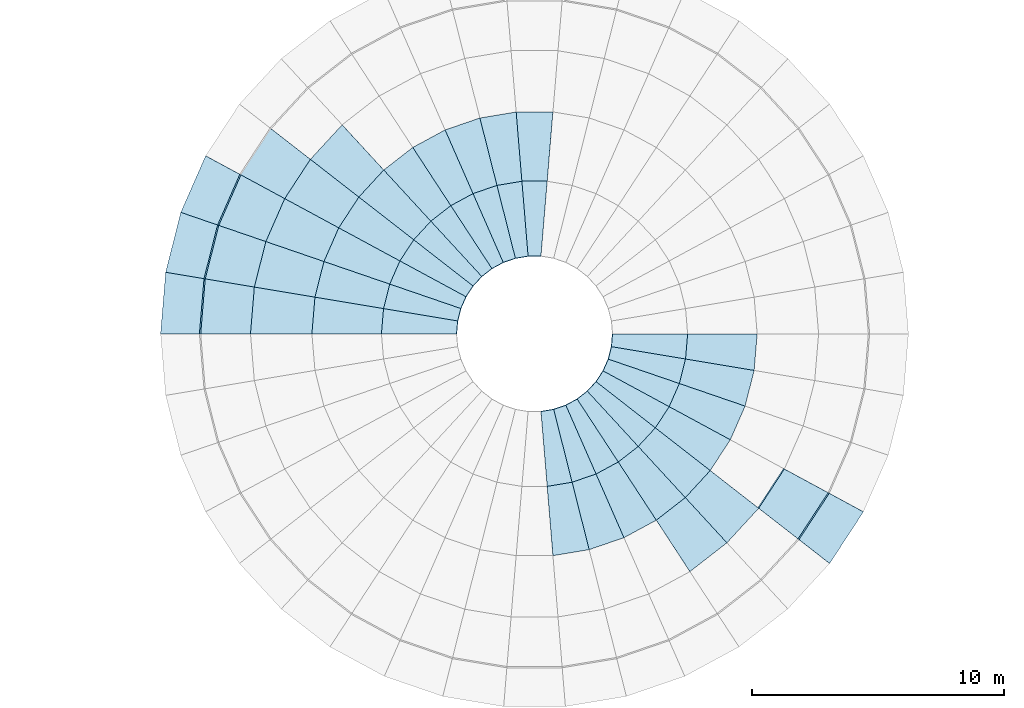
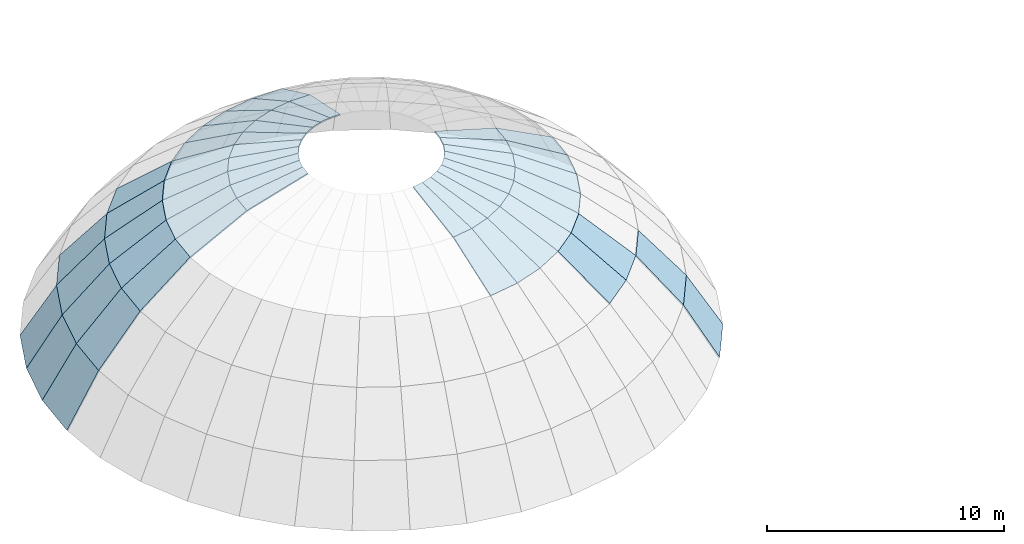
# One storey, part 23 of 36: 54 slabs, 1 element without a shape of its own.
"""IFC4 building model written with IfcOpenShell, lengths in metres."""

from ifc_helpers import new_model, si_unit, direction, frame, origin, place, context, subcontext, project, spatial, polyline, outline, extrude, material, layer, layer_set, type_object, element, aggregate, save


model = new_model("IFC4")

# Units and contexts
model_context = context("Model", 3, precision=1e-05, world=origin(), true_north=direction((0.0, 1.0)))
body_context = subcontext(model_context, "Body", "Model", "MODEL_VIEW")
ifc_project = project(units=[si_unit("LENGTHUNIT", "METRE"), si_unit("AREAUNIT", "SQUARE_METRE"), si_unit("VOLUMEUNIT", "CUBIC_METRE"), si_unit("PLANEANGLEUNIT", "RADIAN"), si_unit("MASSUNIT", "GRAM", prefix="KILO")], contexts=[model_context])

# Site, building, storey
site_placement = place(None, origin())
site = spatial("IfcSite", under=ifc_project, at=site_placement, CompositionType="ELEMENT")
building_placement = place(site_placement, origin())
building = spatial("IfcBuilding", under=site, at=building_placement, Name="Sun Court Science Centre", CompositionType="ELEMENT")
storey_placement = place(building_placement, frame((0.0, 0.0, 24.75)))
storey = spatial("IfcBuildingStorey", under=building, at=storey_placement, Name="L05", CompositionType="ELEMENT", Elevation=24.75)

# Roof, slabs
ifc_material_1 = material(Name="Zinc roofing", Category="metal")
roof_type = type_object("IfcRoofType", Name="Dome roof", PredefinedType="DOME_ROOF", material=ifc_material_1)
roof_placement = place(storey_placement, origin())
roof = element("IfcRoof", 1, at=roof_placement, inside=storey, type_object=roof_type, Name="Planetarium dome roof", PredefinedType="DOME_ROOF")
ifc_material_2 = material(Name="Zinc roofing", Category="metal")
ifc_layer = layer(ifc_material_2, 0.06005859375)
ifc_layer_set = layer_set([ifc_layer], Name="Zinc roofing")
slab_type = type_object("IfcSlabType", Name="Dome roof panel 60", PredefinedType="ROOF", material=ifc_layer_set)
slab_1_placement = place(storey_placement, frame((51.255615234375, 99.88623046875, 4.572509765625), z_axis=(0.0, 0.283879252268, 0.958860036779), x_axis=(-1.0, 0.0, 0.0)))
slab_1 = element("IfcSlab", 2, at=slab_1_placement, type_object=slab_type, Name="Dome roof panel 1.9", PredefinedType="ROOF", context=body_context, shape_type="SweptSolid", body=[
    extrude(outline(polyline([(0.0, 0.0), (0.51123046875, 0.0), (0.7578125, -3.1012167557730033), (-0.24658203125, -3.1012167557730033), (0.0, 0.0)])), origin(), (0.0, 0.0, -1.0), 0.06005859375),
])
slab_2_placement = place(storey_placement, frame((50.744384765625, 99.88623046875, 4.572509765625), z_axis=(-0.04672822343, 0.280003561924, 0.958861031873), x_axis=(-0.986355517295, -0.164629260643, 6.401744e-06)))
slab_2 = element("IfcSlab", 3, at=slab_2_placement, type_object=slab_type, Name="Dome roof panel 1.10", PredefinedType="ROOF", context=body_context, shape_type="SweptSolid", body=[
    extrude(outline(polyline([(0.0, 0.0), (0.5116196164969511, 0.0), (0.7578393399084358, -3.101270565866369), (-0.2463350602680572, -3.101236382879202), (0.0, 0.0)])), origin(), (0.0, 0.0, -1.0), 0.06005859375),
])
slab_3_placement = place(storey_placement, frame((50.23974609375, 99.802001953125, 4.572509765625), z_axis=(-0.092181155952, 0.268495906624, 0.958860043288), x_axis=(-0.945827220378, -0.324670400489, -1.5406808e-05)))
slab_3 = element("IfcSlab", 4, at=slab_3_placement, type_object=slab_type, Name="Dome roof panel 1.11", PredefinedType="ROOF", context=body_context, shape_type="SweptSolid", body=[
    extrude(outline(polyline([(0.0, 0.0), (0.5113426747808478, 0.0), (0.758011641267962, -3.1011758613956992), (-0.24637638840637754, -3.1012581237436407), (0.0, 0.0)])), origin(), (0.0, 0.0, -1.0), 0.06005859375),
])
slab_4_placement = place(storey_placement, frame((49.756103515625, 99.635986328125, 4.572509765625), z_axis=(-0.135061687279, 0.24968580712, 0.958861480274), x_axis=(-0.879551158532, -0.47580432896, 8.264372e-06)))
slab_4 = element("IfcSlab", 5, at=slab_4_placement, type_object=slab_type, Name="Dome roof panel 1.12", PredefinedType="ROOF", context=body_context, shape_type="SweptSolid", body=[
    extrude(outline(polyline([(0.0, 0.0), (0.5115697512566454, 2.7755575615628914e-17), (0.7584788820048525, -3.101292104100171), (-0.24576065982687514, -3.101247974680628), (0.0, 0.0)])), origin(), (0.0, 0.0, -1.0), 0.06005859375),
])
slab_5_placement = place(storey_placement, frame((49.30615234375, 99.392578125, 4.572509765625), z_axis=(-0.174383508411, 0.223991821632, 0.958862897309), x_axis=(-0.789045475052, -0.614334793254, 9.856673e-06)))
slab_5 = element("IfcSlab", 6, at=slab_5_placement, type_object=slab_type, Name="Dome roof panel 1.13", PredefinedType="ROOF", context=body_context, shape_type="SweptSolid", body=[
    extrude(outline(polyline([(0.0, 0.0), (0.5114602170847771, -2.7755575615628914e-17), (0.7574525116096614, -3.101348615897013), (-0.24686038745587094, -3.101295984406815), (0.0, 0.0)])), origin(), (0.0, 0.0, -1.0), 0.06005859375),
])
slab_6_placement = place(storey_placement, frame((48.902587890625, 99.078369140625, 4.572509765625), z_axis=(-0.208832287046, 0.192279344653, 0.958862727144), x_axis=(-0.67738434948, -0.735629283596, -1.3981515e-05)))
slab_6 = element("IfcSlab", 7, at=slab_6_placement, type_object=slab_type, Name="Dome roof panel 1.14", PredefinedType="ROOF", context=body_context, shape_type="SweptSolid", body=[
    extrude(outline(polyline([(0.0, 0.0), (0.5114289838705253, -5.551115123125783e-17), (0.7582682016752315, -3.101278690338045), (-0.24593272845489605, -3.1013533399692945), (0.0, 0.0)])), origin(), (0.0, 0.0, -1.0), 0.06005859375),
])
slab_7_placement = place(storey_placement, frame((48.55615234375, 98.7021484375, 4.572509765625), z_axis=(-0.23764830106, 0.155262337515, 0.958862290192), x_axis=(-0.546964743862, -0.837155641996, -6.779158e-06)))
slab_7 = element("IfcSlab", 8, at=slab_7_placement, type_object=slab_type, Name="Dome roof panel 1.15", PredefinedType="ROOF", context=body_context, shape_type="SweptSolid", body=[
    extrude(outline(polyline([(0.0, 0.0), (0.5115216290349449, 0.0), (0.7580094483507162, -3.1012818077628306), (-0.24634472760736717, -3.101318008494757), (0.0, 0.0)])), origin(), (0.0, 0.0, -1.0), 0.06005859375),
])
slab_8_placement = place(storey_placement, frame((48.2763671875, 98.27392578125, 4.572509765625), z_axis=(-0.25997813006, 0.113986190334, 0.958863139506), x_axis=(-0.401406770776, -0.915899886652, 4.4800082e-05)))
slab_8 = element("IfcSlab", 9, at=slab_8_placement, type_object=slab_type, Name="Dome roof panel 1.16", PredefinedType="ROOF", context=body_context, shape_type="SweptSolid", body=[
    extrude(outline(polyline([(0.0, 0.0), (0.5115222111100454, 0.0), (0.7568576776512703, -3.101450736932414), (-0.2473705592476455, -3.1012115216623224), (0.0, 0.0)])), origin(), (0.0, 0.0, -1.0), 0.06005859375),
])
slab_9_placement = place(storey_placement, frame((48.071044921875, 97.805419921875, 4.572509765625), z_axis=(-0.275177299735, 0.06973170191, 0.958861274356), x_axis=(-0.245883494279, -0.969299387089, -7.3691664e-05)))
slab_9 = element("IfcSlab", 10, at=slab_9_placement, type_object=slab_type, Name="Dome roof panel 1.17", PredefinedType="ROOF", context=body_context, shape_type="SweptSolid", body=[
    extrude(outline(polyline([(0.0, 0.0), (0.5113056043320097, -1.3877787807814457e-17), (0.7591401229443104, -3.1010654606110055), (-0.2452320169316297, -3.1014589182609362), (0.0, 0.0)])), origin(), (0.0, 0.0, -1.0), 0.06005859375),
])
slab_10_placement = place(storey_placement, frame((47.9453125, 97.309814453125, 4.572509765625), z_axis=(-0.282921231947, 0.023412909448, 0.958857347151), x_axis=(-0.082563473837, -0.996585807672, -2.7101486e-05)))
slab_10 = element("IfcSlab", 11, at=slab_10_placement, type_object=slab_type, Name="Dome roof panel 1.18", PredefinedType="ROOF", context=body_context, shape_type="SweptSolid", body=[
    extrude(outline(polyline([(0.0, 0.0), (0.5115123650862234, -6.938893903907228e-18), (0.7578761203889665, -3.1010451780931985), (-0.24627286478650504, -3.101189871164825), (0.0, 0.0)])), origin(), (0.0, 0.0, -1.0), 0.06005859375),
])
slab_11_placement = place(storey_placement, frame((51.255615234375, 93.7138671875, 4.572509765625), z_axis=(0.04668200088, -0.280000561593, 0.958864159462), x_axis=(0.98642877333, 0.164189734724, -7.8479243e-05)))
slab_11 = element("IfcSlab", 12, at=slab_11_placement, type_object=slab_type, Name="Dome roof panel 1.29", PredefinedType="ROOF", context=body_context, shape_type="SweptSolid", body=[
    extrude(outline(polyline([(0.0, 0.0), (0.511579478324477, 1.3877787807814457e-17), (0.759198945886884, -3.1011591175637134), (-0.2449753665656996, -3.1015781726722316), (0.0, 0.0)])), origin(), (0.0, 0.0, -1.0), 0.06005859375),
])
slab_12_placement = place(storey_placement, frame((51.76025390625, 93.7978515625, 4.572509765625), z_axis=(0.092218765445, -0.268472280957, 0.958863042179), x_axis=(0.945688365585, 0.32507462349, 6.6028283e-05)))
slab_12 = element("IfcSlab", 13, at=slab_12_placement, type_object=slab_type, Name="Dome roof panel 1.30", PredefinedType="ROOF", context=body_context, shape_type="SweptSolid", body=[
    extrude(outline(polyline([(0.0, 0.0), (0.511421989946499, 2.7755575615628914e-17), (0.7566689421696237, -3.101503745533287), (-0.2477190284051893, -3.101151166364412), (0.0, 0.0)])), origin(), (0.0, 0.0, -1.0), 0.06005859375),
])
slab_13_placement = place(storey_placement, frame((52.243896484375, 93.964111328125, 4.572509765625), z_axis=(0.135092568034, -0.249658380384, 0.958864271504), x_axis=(0.879545726999, 0.475814368426, -3.0292483e-05)))
slab_13 = element("IfcSlab", 14, at=slab_13_placement, type_object=slab_type, Name="Dome roof panel 1.31", PredefinedType="ROOF", context=body_context, shape_type="SweptSolid", body=[
    extrude(outline(polyline([(0.0, 0.0), (0.5115697510203587, 2.7755575615628914e-17), (0.758478882355183, -3.101292104014491), (-0.24587682410466305, -3.1014538751171177), (0.0, 0.0)])), origin(), (0.0, 0.0, -1.0), 0.06005859375),
])
slab_14_placement = place(storey_placement, frame((52.69384765625, 94.20751953125, 4.572509765625), z_axis=(0.174360228668, -0.224020655716, 0.958860394673), x_axis=(0.789264516706, 0.614053352156, -5.809711e-05)))
slab_14 = element("IfcSlab", 15, at=slab_14_placement, type_object=slab_type, Name="Dome roof panel 1.32", PredefinedType="ROOF", context=body_context, shape_type="SweptSolid", body=[
    extrude(outline(polyline([(0.0, 0.0), (0.5113102678191315, 0.0), (0.7585728357492786, -3.101074781028894), (-0.24574001633201084, -3.101384961147796), (0.0, 0.0)])), origin(), (0.0, 0.0, -1.0), 0.06005859375),
])
slab_15_placement = place(storey_placement, frame((53.097412109375, 94.521484375, 4.572509765625), z_axis=(0.20885860039, -0.192261474308, 0.958860579302), x_axis=(0.677159219874, 0.735836523269, 4.4310831e-05)))
slab_15 = element("IfcSlab", 16, at=slab_15_placement, type_object=slab_type, Name="Dome roof panel 1.33", PredefinedType="ROOF", context=body_context, shape_type="SweptSolid", body=[
    extrude(outline(polyline([(0.0, 0.0), (0.5116086064163965, -8.326672684688674e-17), (0.7574865631173398, -3.101355049731733), (-0.24671434166295486, -3.1011184448600857), (0.0, 0.0)])), origin(), (0.0, 0.0, -1.0), 0.06005859375),
])
slab_16_placement = place(storey_placement, frame((53.44384765625, 94.89794921875, 4.572509765625), z_axis=(0.23764830106, -0.155262337515, 0.958862290192), x_axis=(0.546964743862, 0.837155641996, -6.779158e-06)))
slab_16 = element("IfcSlab", 17, at=slab_16_placement, type_object=slab_type, Name="Dome roof panel 1.34", PredefinedType="ROOF", context=body_context, shape_type="SweptSolid", body=[
    extrude(outline(polyline([(0.0, 0.0), (0.5115216290349449, 0.0), (0.7580094483507162, -3.1012818077628306), (-0.24634472760736717, -3.101318008494757), (0.0, 0.0)])), origin(), (0.0, 0.0, -1.0), 0.06005859375),
])
slab_17_placement = place(storey_placement, frame((53.7236328125, 95.326171875, 4.572509765625), z_axis=(0.259974694417, -0.114004734069, 0.958861866419), x_axis=(0.401572936801, 0.915827044984, 1.0238373e-05)))
slab_17 = element("IfcSlab", 18, at=slab_17_placement, type_object=slab_type, Name="Dome roof panel 1.35", PredefinedType="ROOF", context=body_context, shape_type="SweptSolid", body=[
    extrude(outline(polyline([(0.0, 0.0), (0.5112986113596256, 0.0), (0.7574276434269268, -3.101311590732382), (-0.24680062074546674, -3.1012569306354894), (0.0, 0.0)])), origin(), (0.0, 0.0, -1.0), 0.06005859375),
])
slab_18_placement = place(storey_placement, frame((53.928955078125, 95.79443359375, 4.572509765625), z_axis=(0.275177299735, -0.06973170191, 0.958861274356), x_axis=(0.245778902192, 0.969325915002, -4.1746266e-05)))
slab_18 = element("IfcSlab", 19, at=slab_18_placement, type_object=slab_type, Name="Dome roof panel 1.36", PredefinedType="ROOF", context=body_context, shape_type="SweptSolid", body=[
    extrude(outline(polyline([(0.0, 0.0), (0.5115422529292055, -1.3877787807814457e-17), (0.758791145013559, -3.1011508695172285), (-0.2453443809451955, -3.101373762949223), (0.0, 0.0)])), origin(), (0.0, 0.0, -1.0), 0.06005859375),
])
slab_19_placement = place(storey_placement, frame((54.0546875, 96.290283203125, 4.572509765625), z_axis=(0.282920662676, -0.023409078748, 0.958857608648), x_axis=(0.082562407078, 0.996585895944, -3.0716976e-05)))
slab_19 = element("IfcSlab", 20, at=slab_19_placement, type_object=slab_type, Name="Dome roof panel 1.37", PredefinedType="ROOF", context=body_context, shape_type="SweptSolid", body=[
    extrude(outline(polyline([(0.0, 0.0), (0.5115123650280734, -6.938893903907228e-18), (0.7578761204751239, -3.1010451780721424), (-0.2465161718512209, -3.101209200842104), (0.0, 0.0)])), origin(), (0.0, 0.0, -1.0), 0.06005859375),
])
slab_20_placement = place(storey_placement, frame((51.502197265625, 102.85986328125, 3.692138671875), z_axis=(0.0, 0.461352736642, 0.887216801235), x_axis=(-1.0, 0.0, 0.0)))
slab_20 = element("IfcSlab", 21, at=slab_20_placement, type_object=slab_type, Name="Dome roof panel 2.9", PredefinedType="ROOF", context=body_context, shape_type="SweptSolid", body=[
    extrude(outline(polyline([(0.0, 0.0), (1.00439453125, 0.0), (1.232421875, -3.1026075509892683), (-0.22802734375, -3.1026075509892683), (0.0, 0.0)])), origin(), (0.0, 0.0, -1.0), 0.06005859375),
])
slab_21_placement = place(storey_placement, frame((50.497802734375, 102.85986328125, 3.692138671875), z_axis=(-0.075903591624, 0.455055969531, 0.887221905372), x_axis=(-0.98636348613, -0.164581506913, 2.8477601e-05)))
slab_21 = element("IfcSlab", 22, at=slab_21_placement, type_object=slab_type, Name="Dome roof panel 2.10", PredefinedType="ROOF", context=body_context, shape_type="SweptSolid", body=[
    extrude(outline(polyline([(0.0, 0.0), (1.0041744002468371, 0.0), (1.232402142549726, -3.102749642912398), (-0.22816405238624865, -3.1025975003395345), (0.0, 0.0)])), origin(), (0.0, 0.0, -1.0), 0.06005859375),
])
slab_22_placement = place(storey_placement, frame((49.50732421875, 102.694580078125, 3.692138671875), z_axis=(-0.149844607598, 0.436327024503, 0.88722337732), x_axis=(-0.945796870013, -0.324758802936, -2.4253969e-05)))
slab_22 = element("IfcSlab", 23, at=slab_22_placement, type_object=slab_type, Name="Dome roof panel 2.11", PredefinedType="ROOF", context=body_context, shape_type="SweptSolid", body=[
    extrude(outline(polyline([(0.0, 0.0), (1.0043880327014159, -5.551115123125783e-17), (1.232175440205217, -3.1026278268693597), (-0.22812222770762033, -3.1027574024503415), (0.0, 0.0)])), origin(), (0.0, 0.0, -1.0), 0.06005859375),
])
slab_23_placement = place(storey_placement, frame((48.557373046875, 102.368408203125, 3.692138671875), z_axis=(-0.219525661106, 0.405784319447, 0.887213373551), x_axis=(-0.879565185416, -0.475778397881, -2.6730236e-05)))
slab_23 = element("IfcSlab", 24, at=slab_23_placement, type_object=slab_type, Name="Dome roof panel 2.12", PredefinedType="ROOF", context=body_context, shape_type="SweptSolid", body=[
    extrude(outline(polyline([(0.0, 0.0), (1.0042395423552177, 0.0), (1.2329526479217499, -3.102491793093754), (-0.22769508265061505, -3.1026346037289927), (0.0, 0.0)])), origin(), (0.0, 0.0, -1.0), 0.06005859375),
])
slab_24_placement = place(storey_placement, frame((47.674072265625, 101.890625, 3.692138671875), z_axis=(-0.283395806017, 0.364059182507, 0.887213462907), x_axis=(-0.789082408073, -0.614287353777, 1.6125535e-05)))
slab_24 = element("IfcSlab", 25, at=slab_24_placement, type_object=slab_type, Name="Dome roof panel 2.13", PredefinedType="ROOF", context=body_context, shape_type="SweptSolid", body=[
    extrude(outline(polyline([(0.0, 0.0), (1.0043129002924966, 5.551115123125783e-17), (1.2319806087407972, -3.102607440641787), (-0.2283125318547266, -3.1025212971472564), (0.0, 0.0)])), origin(), (0.0, 0.0, -1.0), 0.06005859375),
])
slab_25_placement = place(storey_placement, frame((46.881591796875, 101.273681640625, 3.692138671875), z_axis=(-0.339408860934, 0.312491960558, 0.887214968148), x_axis=(-0.677330987808, -0.735678416805, 1.636312e-06)))
slab_25 = element("IfcSlab", 26, at=slab_25_placement, type_object=slab_type, Name="Dome roof panel 2.14", PredefinedType="ROOF", context=body_context, shape_type="SweptSolid", body=[
    extrude(outline(polyline([(0.0, 0.0), (1.0042009329307369, 0.0), (1.2324656172754214, -3.102588215719342), (-0.22804851235245346, -3.1025794740086017), (0.0, 0.0)])), origin(), (0.0, 0.0, -1.0), 0.06005859375),
])
slab_26_placement = place(storey_placement, frame((46.201416015625, 100.534912109375, 3.692138671875), z_axis=(-0.386227181641, 0.25233631058, 0.887217532809), x_axis=(-0.546938249766, -0.837172951597, 7.568814e-06)))
slab_26 = element("IfcSlab", 27, at=slab_26_placement, type_object=slab_type, Name="Dome roof panel 2.15", PredefinedType="ROOF", context=body_context, shape_type="SweptSolid", body=[
    extrude(outline(polyline([(0.0, 0.0), (1.0043541765804533, -1.1102230246251565e-16), (1.2323363213218208, -3.102637230116387), (-0.22814807683054314, -3.1025967925929474), (0.0, 0.0)])), origin(), (0.0, 0.0, -1.0), 0.06005859375),
])
slab_27_placement = place(storey_placement, frame((45.652099609375, 99.694091796875, 3.692138671875), z_axis=(-0.422502986318, 0.185296302133, 0.887218409958), x_axis=(-0.401625869462, -0.915803833208, 7.816048e-06)))
slab_27 = element("IfcSlab", 28, at=slab_27_placement, type_object=slab_type, Name="Dome roof panel 2.16", PredefinedType="ROOF", context=body_context, shape_type="SweptSolid", body=[
    extrude(outline(polyline([(0.0, 0.0), (1.0042282656358383, 0.0), (1.2322568604242, -3.1026492333865283), (-0.2283867349033955, -3.10260747426104), (0.0, 0.0)])), origin(), (0.0, 0.0, -1.0), 0.06005859375),
])
slab_28_placement = place(storey_placement, frame((45.248779296875, 98.7744140625, 3.692138671875), z_axis=(-0.447242180145, 0.113238594298, 0.887215561778), x_axis=(-0.245495667643, -0.969397687489, -2.5682784e-05)))
slab_28 = element("IfcSlab", 29, at=slab_28_placement, type_object=slab_type, Name="Dome roof panel 2.17", PredefinedType="ROOF", context=body_context, shape_type="SweptSolid", body=[
    extrude(outline(polyline([(0.0, 0.0), (1.0043722172913425, -2.7755575615628914e-17), (1.2325504983654518, -3.10252291256546), (-0.22788036829673347, -3.1026601235799376), (0.0, 0.0)])), origin(), (0.0, 0.0, -1.0), 0.06005859375),
])
slab_29_placement = place(storey_placement, frame((45.002197265625, 97.80078125, 3.692138671875), z_axis=(-0.459779125023, 0.03807117407, 0.887216851676), x_axis=(-0.082442789822, -0.99659579808, 4.0687163e-05)))
slab_29 = element("IfcSlab", 30, at=slab_29_placement, type_object=slab_type, Name="Dome roof panel 2.18", PredefinedType="ROOF", context=body_context, shape_type="SweptSolid", body=[
    extrude(outline(polyline([(0.0, 0.0), (1.004148994648439, 0.0), (1.2318148089091965, -3.1027168504174645), (-0.22849629717663633, -3.1024995071472468), (0.0, 0.0)])), origin(), (0.0, 0.0, -1.0), 0.06005859375),
])
slab_30_placement = place(storey_placement, frame((51.502197265625, 90.739990234375, 3.692138671875), z_axis=(0.075950665863, -0.455064218209, 0.887213646007), x_axis=(0.986360063778, 0.164602018368, -1.1513372e-05)))
slab_30 = element("IfcSlab", 31, at=slab_30_placement, type_object=slab_type, Name="Dome roof panel 2.29", PredefinedType="ROOF", context=body_context, shape_type="SweptSolid", body=[
    extrude(outline(polyline([(0.0, 0.0), (1.0041744006795592, -2.7755575615628914e-17), (1.2324423266165552, -3.1025359910763353), (-0.2281640514224832, -3.102597500550462), (0.0, 0.0)])), origin(), (0.0, 0.0, -1.0), 0.06005859375),
])
slab_31_placement = place(storey_placement, frame((52.49267578125, 90.9052734375, 3.692138671875), z_axis=(0.149808673466, -0.436355464995, 0.887215458343), x_axis=(0.945803345867, 0.32473994326, 1.4093916e-05)))
slab_31 = element("IfcSlab", 32, at=slab_31_placement, type_object=slab_type, Name="Dome roof panel 2.30", PredefinedType="ROOF", context=body_context, shape_type="SweptSolid", body=[
    extrude(outline(polyline([(0.0, 0.0), (1.0043880329499804, 0.0), (1.2321754399002798, -3.1026278269904615), (-0.22804294324900387, -3.102552535878348), (0.0, 0.0)])), origin(), (0.0, 0.0, -1.0), 0.06005859375),
])
slab_32_placement = place(storey_placement, frame((53.442626953125, 91.2314453125, 3.692138671875), z_axis=(0.21959635091, -0.405746066601, 0.88721337462), x_axis=(0.879467451439, 0.475959033687, -1.0524299e-05)))
slab_32 = element("IfcSlab", 33, at=slab_32_placement, type_object=slab_type, Name="Dome roof panel 2.31", PredefinedType="ROOF", context=body_context, shape_type="SweptSolid", body=[
    extrude(outline(polyline([(0.0, 0.0), (1.0043557195474127, 0.0), (1.2324803009495728, -3.1025351226062803), (-0.22828362908306613, -3.1025913556873697), (0.0, 0.0)])), origin(), (0.0, 0.0, -1.0), 0.06005859375),
])
slab_33_placement = place(storey_placement, frame((54.325927734375, 91.70947265625, 3.692138671875), z_axis=(0.283395806017, -0.364059182507, 0.887213462907), x_axis=(0.789082408073, 0.614287353777, 1.6125535e-05)))
slab_33 = element("IfcSlab", 34, at=slab_33_placement, type_object=slab_type, Name="Dome roof panel 2.32", PredefinedType="ROOF", context=body_context, shape_type="SweptSolid", body=[
    extrude(outline(polyline([(0.0, 0.0), (1.0043129002924966, 5.551115123125783e-17), (1.2319806087407972, -3.102607440641787), (-0.2283125318547266, -3.1025212971472564), (0.0, 0.0)])), origin(), (0.0, 0.0, -1.0), 0.06005859375),
])
slab_34_placement = place(storey_placement, frame((55.118408203125, 92.326416015625, 3.692138671875), z_axis=(0.339408860934, -0.312491960558, 0.887214968148), x_axis=(0.677330987808, 0.735678416805, 1.636312e-06)))
slab_34 = element("IfcSlab", 35, at=slab_34_placement, type_object=slab_type, Name="Dome roof panel 2.33", PredefinedType="ROOF", context=body_context, shape_type="SweptSolid", body=[
    extrude(outline(polyline([(0.0, 0.0), (1.0042009329307369, 0.0), (1.2324656172754214, -3.102588215719342), (-0.22804851235245346, -3.1025794740086017), (0.0, 0.0)])), origin(), (0.0, 0.0, -1.0), 0.06005859375),
])
slab_35_placement = place(storey_placement, frame((55.798583984375, 93.065185546875, 3.692138671875), z_axis=(0.386227181641, -0.25233631058, 0.887217532809), x_axis=(0.546938249766, 0.837172951597, 7.568814e-06)))
slab_35 = element("IfcSlab", 36, at=slab_35_placement, type_object=slab_type, Name="Dome roof panel 2.34", PredefinedType="ROOF", context=body_context, shape_type="SweptSolid", body=[
    extrude(outline(polyline([(0.0, 0.0), (1.0043541765804533, -1.1102230246251565e-16), (1.2323363213218208, -3.102637230116387), (-0.22814807683054314, -3.1025967925929474), (0.0, 0.0)])), origin(), (0.0, 0.0, -1.0), 0.06005859375),
])
slab_36_placement = place(storey_placement, frame((56.347900390625, 93.906005859375, 3.692138671875), z_axis=(0.42248968974, -0.185310512915, 0.887221773778), x_axis=(0.40163362407, 0.915800432101, 2.4100601e-05)))
slab_36 = element("IfcSlab", 37, at=slab_36_placement, type_object=slab_type, Name="Dome roof panel 2.35", PredefinedType="ROOF", context=body_context, shape_type="SweptSolid", body=[
    extrude(outline(polyline([(0.0, 0.0), (1.0042282653043022, -5.551115123125783e-17), (1.2320332755121948, -3.102736227502853), (-0.228386735641867, -3.102607474099371), (0.0, 0.0)])), origin(), (0.0, 0.0, -1.0), 0.06005859375),
])
slab_37_placement = place(storey_placement, frame((56.751220703125, 94.82568359375, 3.692138671875), z_axis=(0.447235594509, -0.11324849818, 0.887217617422), x_axis=(0.245546232959, 0.969384880152, -4.016336e-05)))
slab_37 = element("IfcSlab", 38, at=slab_37_placement, type_object=slab_type, Name="Dome roof panel 2.36", PredefinedType="ROOF", context=body_context, shape_type="SweptSolid", body=[
    extrude(outline(polyline([(0.0, 0.0), (1.0041355499152966, 2.7755575615628914e-17), (1.2324781389103705, -3.1025108237970223), (-0.22795271801907094, -3.102725378946719), (0.0, 0.0)])), origin(), (0.0, 0.0, -1.0), 0.06005859375),
])
slab_38_placement = place(storey_placement, frame((56.997802734375, 95.799072265625, 3.692138671875), z_axis=(0.459779747646, -0.038063658297, 0.887216851492), x_axis=(0.082423605809, 0.996597384817, 4.2196715e-05)))
slab_38 = element("IfcSlab", 39, at=slab_38_placement, type_object=slab_type, Name="Dome roof panel 2.37", PredefinedType="ROOF", context=body_context, shape_type="SweptSolid", body=[
    extrude(outline(polyline([(0.0, 0.0), (1.0043923047169407, 0.0), (1.2320029679941364, -3.102720896672568), (-0.22855144351733375, -3.1024954451500992), (0.0, 0.0)])), origin(), (0.0, 0.0, -1.0), 0.06005859375),
])
slab_39_placement = place(storey_placement, frame((45.010986328125, 103.305908203125, 2.2607421875), z_axis=(-0.457505297664, 0.421149680519, 0.783148676311), x_axis=(-0.677309956829, -0.73569777796, -4.3426318e-05)))
slab_39 = element("IfcSlab", 40, at=slab_39_placement, type_object=slab_type, Name="Dome roof panel 3.14", PredefinedType="ROOF", context=body_context, shape_type="SweptSolid", body=[
    extrude(outline(polyline([(0.0, 0.0), (1.460514127409812, 2.220446049250313e-16), (1.6621633261764832, -3.104278922232633), (-0.20128733004160745, -3.104511054014031), (0.0, 0.0)])), origin(), (0.0, 0.0, -1.0), 0.06005859375),
])
slab_40_placement = place(storey_placement, frame((44.021728515625, 102.2314453125, 2.2607421875), z_axis=(-0.520565654086, 0.34014674265, 0.783142128384), x_axis=(-0.546975357949, -0.837148706823, 2.1478552e-05)))
slab_40 = element("IfcSlab", 41, at=slab_40_placement, type_object=slab_type, Name="Dome roof panel 3.15", PredefinedType="ROOF", context=body_context, shape_type="SweptSolid", body=[
    extrude(outline(polyline([(0.0, 0.0), (1.4604843981880262, 0.0), (1.6619420068543673, -3.104411230304481), (-0.2013795769660699, -3.104296425491039), (0.0, 0.0)])), origin(), (0.0, 0.0, -1.0), 0.06005859375),
])
slab_41_placement = place(storey_placement, frame((43.222900390625, 101.0087890625, 2.2607421875), z_axis=(-0.569460365747, 0.249769728147, 0.78315386403), x_axis=(-0.401658804398, -0.915789388863, 9.828259e-06)))
slab_41 = element("IfcSlab", 42, at=slab_41_placement, type_object=slab_type, Name="Dome roof panel 3.16", PredefinedType="ROOF", context=body_context, shape_type="SweptSolid", body=[
    extrude(outline(polyline([(0.0, 0.0), (1.4606435958363044, 5.551115123125783e-17), (1.661879699708573, -3.1044538782176154), (-0.20160997861966667, -3.1044013388606104), (0.0, 0.0)])), origin(), (0.0, 0.0, -1.0), 0.06005859375),
])
slab_42_placement = place(storey_placement, frame((42.63623046875, 99.671142578125, 2.2607421875), z_axis=(-0.602786467623, 0.152637700773, 0.783166780931), x_axis=(-0.245431703613, -0.969413883614, 3.3449616e-05)))
slab_42 = element("IfcSlab", 43, at=slab_42_placement, type_object=slab_type, Name="Dome roof panel 3.17", PredefinedType="ROOF", context=body_context, shape_type="SweptSolid", body=[
    extrude(outline(polyline([(0.0, 0.0), (1.4604308720651793, 5.551115123125783e-17), (1.6616686596276533, -3.104598223841348), (-0.20176696962712332, -3.1044194204222473), (0.0, 0.0)])), origin(), (0.0, 0.0, -1.0), 0.06005859375),
])
slab_43_placement = place(storey_placement, frame((42.27783203125, 98.25537109375, 2.2607421875), z_axis=(-0.619680215568, 0.051339320579, 0.783173483077), x_axis=(-0.082579734216, -0.996584460727, -1.1566259e-05)))
slab_43 = element("IfcSlab", 44, at=slab_43_placement, type_object=slab_type, Name="Dome roof panel 3.18", PredefinedType="ROOF", context=body_context, shape_type="SweptSolid", body=[
    extrude(outline(polyline([(0.0, 0.0), (1.4603111228266308, -1.3877787807814457e-17), (1.6618030023271915, -3.104520066725323), (-0.20148963459849045, -3.104581889594301), (0.0, 0.0)])), origin(), (0.0, 0.0, -1.0), 0.06005859375),
])
slab_44_placement = place(storey_placement, frame((55.836669921875, 89.397216796875, 2.2607421875), z_axis=(0.381938375577, -0.490691696821, 0.783163288167), x_axis=(0.789121430342, 0.614237224635, 6.829699e-06)))
slab_44 = element("IfcSlab", 45, at=slab_44_placement, type_object=slab_type, Name="Dome roof panel 3.32", PredefinedType="ROOF", context=body_context, shape_type="SweptSolid", body=[
    extrude(outline(polyline([(0.0, 0.0), (1.4602931431949102, -1.1102230246251565e-16), (1.6616719914875673, -3.1045051199164755), (-0.20171240403067725, -3.1044686144011804), (0.0, 0.0)])), origin(), (0.0, 0.0, -1.0), 0.06005859375),
])
slab_45_placement = place(storey_placement, frame((56.989013671875, 90.294189453125, 2.2607421875), z_axis=(0.457474804368, -0.42116365526, 0.783158974191), x_axis=(0.677324109686, 0.735684749108, -1.919983e-05)))
slab_45 = element("IfcSlab", 46, at=slab_45_placement, type_object=slab_type, Name="Dome roof panel 3.33", PredefinedType="ROOF", context=body_context, shape_type="SweptSolid", body=[
    extrude(outline(polyline([(0.0, 0.0), (1.460514129216305, 0.0), (1.6619837161069229, -3.104408427419079), (-0.20128732617965173, -3.1045110551142914), (0.0, 0.0)])), origin(), (0.0, 0.0, -1.0), 0.06005859375),
])
slab_46_placement = place(storey_placement, frame((42.0966796875, 103.729736328125, 0.330322265625), z_axis=(-0.635710284981, 0.415377582633, 0.650641143347), x_axis=(-0.547006696174, -0.837128230268, -2.0721206e-05)))
slab_46 = element("IfcSlab", 47, at=slab_46_placement, type_object=slab_type, Name="Dome roof panel 4.15", PredefinedType="ROOF", context=body_context, shape_type="SweptSolid", body=[
    extrude(outline(polyline([(0.0, 0.0), (1.8633215868427615, 0.0), (2.0309549190664518, -3.1065766427611123), (-0.16735576902345242, -3.1066874717633137), (0.0, 0.0)])), origin(), (0.0, 0.0, -1.0), 0.06005859375),
])
slab_47_placement = place(storey_placement, frame((41.077392578125, 102.169921875, 0.330322265625), z_axis=(-0.695451516916, 0.30502739959, 0.650619299682), x_axis=(-0.401674346744, -0.915782571943, -9.61736e-06)))
slab_47 = element("IfcSlab", 48, at=slab_47_placement, type_object=slab_type, Name="Dome roof panel 4.16", PredefinedType="ROOF", context=body_context, shape_type="SweptSolid", body=[
    extrude(outline(polyline([(0.0, 0.0), (1.8634896789554545, 0.0), (2.0310147469201465, -3.10652977739938), (-0.16754848134898281, -3.1065812206639087), (0.0, 0.0)])), origin(), (0.0, 0.0, -1.0), 0.06005859375),
])
slab_48_placement = place(storey_placement, frame((40.328857421875, 100.46337890625, 0.330322265625), z_axis=(-0.736150998471, 0.186468458408, 0.650623717266), x_axis=(-0.245537571862, -0.969387074741, 1.1350247e-05)))
slab_48 = element("IfcSlab", 49, at=slab_48_placement, type_object=slab_type, Name="Dome roof panel 4.17", PredefinedType="ROOF", context=body_context, shape_type="SweptSolid", body=[
    extrude(outline(polyline([(0.0, 0.0), (1.8634356385936197, -5.551115123125783e-17), (2.0308437607032968, -3.106601335448932), (-0.16732370993342333, -3.1065406293917563), (0.0, 0.0)])), origin(), (0.0, 0.0, -1.0), 0.06005859375),
])
slab_49_placement = place(storey_placement, frame((39.871337890625, 98.656982421875, 0.330322265625), z_axis=(-0.756812333071, 0.062672094892, 0.65062070443), x_axis=(-0.082535974002, -0.996588085877, -9.191162e-06)))
slab_49 = element("IfcSlab", 50, at=slab_49_placement, type_object=slab_type, Name="Dome roof panel 4.18", PredefinedType="ROOF", context=body_context, shape_type="SweptSolid", body=[
    extrude(outline(polyline([(0.0, 0.0), (1.8632926378901893, 2.7755575615628914e-17), (2.0307035632400825, -3.106535844306839), (-0.1677109170674241, -3.10658500373347), (0.0, 0.0)])), origin(), (0.0, 0.0, -1.0), 0.06005859375),
])
slab_50_placement = place(storey_placement, frame((59.9033203125, 89.8701171875, 0.330322265625), z_axis=(0.635732830897, -0.415362490032, 0.650628749437), x_axis=(0.546965426851, 0.837155195783, -1.556266e-06)))
slab_50 = element("IfcSlab", 51, at=slab_50_placement, type_object=slab_type, Name="Dome roof panel 4.34", PredefinedType="ROOF", context=body_context, shape_type="SweptSolid", body=[
    extrude(outline(polyline([(0.0, 0.0), (1.8635259663475052, 1.1102230246251565e-16), (2.0310144435547777, -3.1065844564289096), (-0.167296248109546, -3.106592780540554), (0.0, 0.0)])), origin(), (0.0, 0.0, -1.0), 0.06005859375),
])
slab_51_placement = place(storey_placement, frame((39.293701171875, 103.13525390625, -2.02880859375), z_axis=(-0.784260587494, 0.343970787787, 0.516352038878), x_axis=(-0.401656616034, -0.915790348707, 3.242033e-06)))
slab_51 = element("IfcSlab", 52, at=slab_51_placement, type_object=slab_type, Name="Dome roof panel 5.16", PredefinedType="ROOF", context=body_context, shape_type="SweptSolid", body=[
    extrude(outline(polyline([(0.0, 0.0), (2.1985632290002033, 5.551115123125783e-17), (2.325874248397407, -2.9777283803192383), (-0.12729686759835457, -2.9777107699816554), (0.0, 0.0)])), origin(), (0.0, 0.0, -1.0), 0.06005859375),
])
slab_52_placement = place(storey_placement, frame((38.41064453125, 101.121826171875, -2.02880859375), z_axis=(-0.830161558485, 0.210282422059, 0.516345901298), x_axis=(-0.24555276295, -0.969383226872, -8.156414e-06)))
slab_52 = element("IfcSlab", 53, at=slab_52_placement, type_object=slab_type, Name="Dome roof panel 5.17", PredefinedType="ROOF", context=body_context, shape_type="SweptSolid", body=[
    extrude(outline(polyline([(0.0, 0.0), (2.1981674714410935, 0.0), (2.32572045221787, -2.9776845569613783), (-0.1272998837031632, -2.9777288562279494), (0.0, 0.0)])), origin(), (0.0, 0.0, -1.0), 0.06005859375),
])
slab_53_placement = place(storey_placement, frame((37.870849609375, 98.990966796875, -2.02880859375), z_axis=(-0.853467647357, 0.070657843988, 0.51633365569), x_axis=(-0.082508340644, -0.996590374085, -2.46392e-06)))
slab_53 = element("IfcSlab", 54, at=slab_53_placement, type_object=slab_type, Name="Dome roof panel 5.18", PredefinedType="ROOF", context=body_context, shape_type="SweptSolid", body=[
    extrude(outline(polyline([(0.0, 0.0), (2.1984144809896926, 0.0), (2.325708411697197, -2.9776743443983107), (-0.1274789468177347, -2.97768772756399), (0.0, 0.0)])), origin(), (0.0, 0.0, -1.0), 0.06005859375),
])
slab_54_placement = place(storey_placement, frame((61.50390625, 88.62451171875, -2.02880859375), z_axis=(0.716910834533, -0.468396727691, 0.516375213209), x_axis=(0.546961173499, 0.837157974748, -6.49563e-07)))
slab_54 = element("IfcSlab", 55, at=slab_54_placement, type_object=slab_type, Name="Dome roof panel 5.34", PredefinedType="ROOF", context=body_context, shape_type="SweptSolid", body=[
    extrude(outline(polyline([(0.0, 0.0), (2.198310691682863, 0.0), (2.3257144511930847, -2.9777663988884333), (-0.1274768313095251, -2.9777699271190157), (0.0, 0.0)])), origin(), (0.0, 0.0, -1.0), 0.06005859375),
])
aggregate(roof, [slab_1, slab_2, slab_3, slab_4, slab_5, slab_6, slab_7, slab_8, slab_9, slab_10, slab_11, slab_12, slab_13, slab_14, slab_15, slab_16, slab_17, slab_18, slab_19, slab_20, slab_21, slab_22, slab_23, slab_24, slab_25, slab_26, slab_27, slab_28, slab_29, slab_30, slab_31, slab_32, slab_33, slab_34, slab_35, slab_36, slab_37, slab_38, slab_39, slab_40, slab_41, slab_42, slab_43, slab_44, slab_45, slab_46, slab_47, slab_48, slab_49, slab_50, slab_51, slab_52, slab_53, slab_54])

save(model, "model.ifc")
